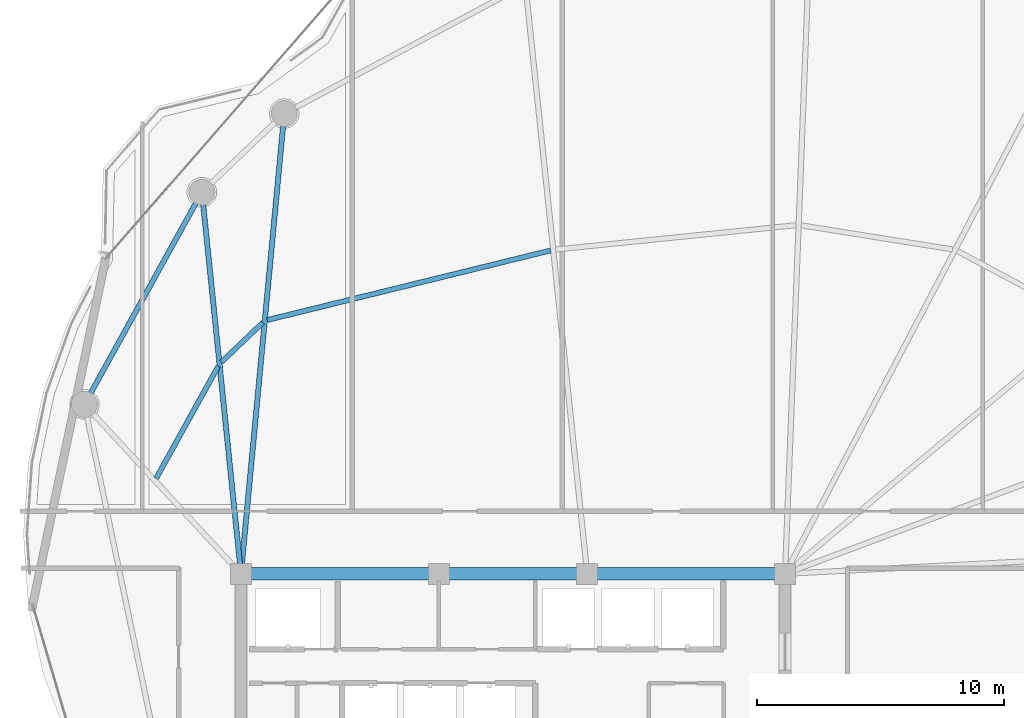
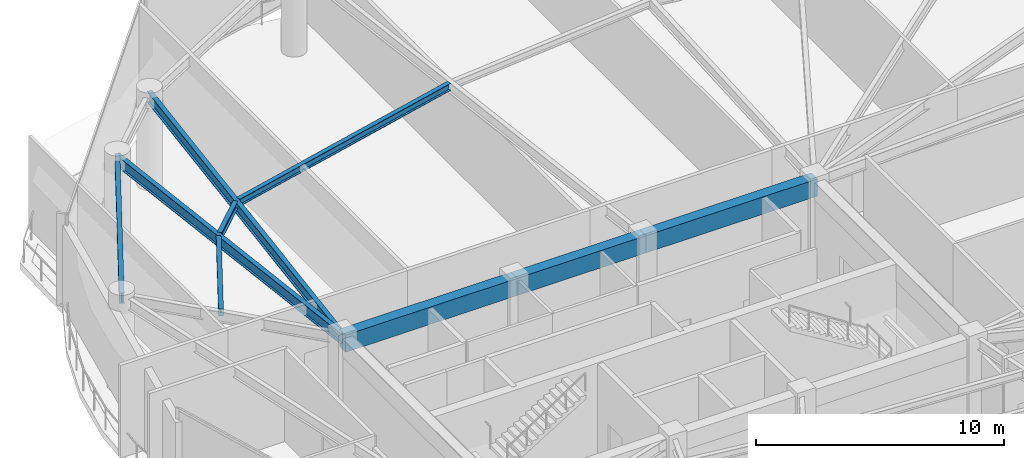
# One storey, part 8 of 28: 9 beams.
"""IFC4 building model written with IfcOpenShell, lengths in metres."""

from ifc_helpers import new_model, si_unit, direction, frame, origin, origin_2d, place, context, subcontext, project, spatial, rectangle, i_section, extrude, material, material_profile, profile_set, type_object, element, save


model = new_model("IFC4")

# Units and contexts
model_context = context("Model", 3, precision=1e-05, world=origin(), true_north=direction((0.0, 1.0)))
body_context = subcontext(model_context, "Body", "Model", "MODEL_VIEW")
ifc_project = project(units=[si_unit("LENGTHUNIT", "METRE"), si_unit("AREAUNIT", "SQUARE_METRE"), si_unit("VOLUMEUNIT", "CUBIC_METRE"), si_unit("PLANEANGLEUNIT", "RADIAN"), si_unit("MASSUNIT", "GRAM", prefix="KILO")], contexts=[model_context])

# Site, building, storey
site_placement = place(None, origin())
site = spatial("IfcSite", under=ifc_project, at=site_placement, CompositionType="ELEMENT")
building_placement = place(site_placement, origin())
building = spatial("IfcBuilding", under=site, at=building_placement, Name="Kazevale Care Tower and Concert Hall", CompositionType="ELEMENT")
storey_placement = place(building_placement, frame((0.0, 0.0, 190.800048828125)))
storey = spatial("IfcBuildingStorey", under=building, at=storey_placement, Name="L50", CompositionType="ELEMENT", Elevation=190.800048828125)

# Beams
ifc_material_1 = material(Name="Concrete C60", Category="concrete")
ifc_material_profile_1 = material_profile(ifc_material_1, rectangle(XDim=0.5, YDim=0.85009765625, at=origin_2d()), Name="RC-B500x850")
ifc_profile_set_1 = profile_set([ifc_material_profile_1], Name="Concrete C60")
beam_type_1 = type_object("IfcBeamType", Name="Core Coupling Beam RC500x850", PredefinedType="LINTEL", material=ifc_profile_set_1)
beam_1_placement = place(storey_placement, frame((44.0, 36.39990234375, 4.135009765625), z_axis=(-1.0, 0.0, 0.0), x_axis=(0.0, -1.0, 0.0)))
element("IfcBeam", 1, at=beam_1_placement, inside=storey, type_object=beam_type_1, Name="beam:L50:coretie:5", PredefinedType="LINTEL", context=body_context, shape_type="SweptSolid", body=[
    extrude(rectangle(XDim=0.5, YDim=0.85009765625, at=origin_2d()), origin(), (0.0, 0.0, 1.0), 8.0),
])
beam_2_placement = place(storey_placement, frame((36.0, 36.39990234375, 4.135009765625), z_axis=(-1.0, 0.0, 0.0), x_axis=(0.0, -1.0, 0.0)))
element("IfcBeam", 2, at=beam_2_placement, inside=storey, type_object=beam_type_1, Name="beam:L50:coretie:6", PredefinedType="LINTEL", context=body_context, shape_type="SweptSolid", body=[
    extrude(rectangle(XDim=0.5, YDim=0.85009765625, at=origin_2d()), origin(), (0.0, 0.0, 1.0), 6.0),
])
beam_3_placement = place(storey_placement, frame((30.0, 36.39990234375, 4.135009765625), z_axis=(-1.0, 0.0, 0.0), x_axis=(0.0, -1.0, 0.0)))
element("IfcBeam", 3, at=beam_3_placement, inside=storey, type_object=beam_type_1, Name="beam:L50:coretie:7", PredefinedType="LINTEL", context=body_context, shape_type="SweptSolid", body=[
    extrude(rectangle(XDim=0.5, YDim=0.85009765625, at=origin_2d()), origin(), (0.0, 0.0, 1.0), 8.0),
])
ifc_material_2 = material(Name="Steel ASTM A572 Gr 50", Category="steel")
ifc_material_profile_2 = material_profile(ifc_material_2, i_section(OverallWidth=0.2119140625, OverallDepth=0.5439453125, WebThickness=0.01318359375, FlangeThickness=0.021240234375, at=origin_2d()), Name="W530x123")
ifc_profile_set_2 = profile_set([ifc_material_profile_2], Name="Steel ASTM A572 Gr 50")
beam_type_2 = type_object("IfcBeamType", Name="Radial Floor Girder W530x123", PredefinedType="BEAM", material=ifc_profile_set_2)
beam_4_placement = place(storey_placement, frame((22.0, 36.39990234375, 4.287841796875), z_axis=(0.093621904075, 0.995607823933, 0.0), x_axis=(-0.995607823933, 0.093621904075, 0.0)))
element("IfcBeam", 4, at=beam_4_placement, inside=storey, type_object=beam_type_2, Name="beam:L50:rad:07", PredefinedType="BEAM", context=body_context, shape_type="SweptSolid", body=[
    extrude(i_section(OverallWidth=0.2119140625, OverallDepth=0.5439453125, WebThickness=0.01318359375, FlangeThickness=0.021240234375, at=origin_2d()), origin(), (0.0, 0.0, 1.0), 18.692138671875),
])
beam_5_placement = place(storey_placement, frame((22.0, 36.39990234375, 4.287841796875), z_axis=(-0.101869109083, 0.994797810922, 0.0), x_axis=(-0.994797810922, -0.101869109083, 0.0)))
element("IfcBeam", 5, at=beam_5_placement, inside=storey, type_object=beam_type_2, Name="beam:L50:rad:08", PredefinedType="BEAM", context=body_context, shape_type="SweptSolid", body=[
    extrude(i_section(OverallWidth=0.2119140625, OverallDepth=0.5439453125, WebThickness=0.01318359375, FlangeThickness=0.021240234375, at=origin_2d()), origin(), (0.0, 0.0, 1.0), 15.510986328125),
])
ifc_material_profile_3 = material_profile(ifc_material_2, i_section(OverallWidth=0.205078125, OverallDepth=0.35400390625, WebThickness=0.009521484375, FlangeThickness=0.016845703125, at=origin_2d()), Name="W360x79")
ifc_profile_set_3 = profile_set([ifc_material_profile_3], Name="Steel ASTM A572 Gr 50")
beam_type_3 = type_object("IfcBeamType", Name="Secondary Floor Joist W360x79", PredefinedType="JOIST", material=ifc_profile_set_3)
beam_6_placement = place(storey_placement, frame((34.52294921875, 49.47607421875, 4.383056640625), z_axis=(-0.971122715177, -0.238580535809, 0.0), x_axis=(0.238580535809, -0.971122715177, 0.0)))
element("IfcBeam", 6, at=beam_6_placement, inside=storey, type_object=beam_type_3, Name="beam:L50:joist:06", PredefinedType="JOIST", context=body_context, shape_type="SweptSolid", body=[
    extrude(i_section(OverallWidth=0.205078125, OverallDepth=0.35400390625, WebThickness=0.009521484375, FlangeThickness=0.016845703125, at=origin_2d()), origin(), (0.0, 0.0, 1.0), 11.7998046875),
])
beam_7_placement = place(storey_placement, frame((22.886962890625, 46.56298828125, 4.383056640625), z_axis=(-0.723262472539, -0.690573237114, 0.0), x_axis=(0.690573237114, -0.723262472539, 0.0)))
element("IfcBeam", 7, at=beam_7_placement, inside=storey, type_object=beam_type_3, Name="beam:L50:joist:07", PredefinedType="JOIST", context=body_context, shape_type="SweptSolid", body=[
    extrude(i_section(OverallWidth=0.205078125, OverallDepth=0.35400390625, WebThickness=0.009521484375, FlangeThickness=0.016845703125, at=origin_2d()), origin(), (0.0, 0.0, 1.0), 2.32275390625),
])
beam_8_placement = place(storey_placement, frame((21.080078125, 44.794921875, 4.383056640625), z_axis=(-0.484322963201, -0.874889288605, 0.0), x_axis=(0.874889288605, -0.484322963201, 0.0)))
element("IfcBeam", 8, at=beam_8_placement, inside=storey, type_object=beam_type_3, Name="beam:L50:joist:08", PredefinedType="JOIST", context=body_context, shape_type="SweptSolid", body=[
    extrude(i_section(OverallWidth=0.205078125, OverallDepth=0.35400390625, WebThickness=0.009521484375, FlangeThickness=0.016845703125, at=origin_2d()), origin(), (0.0, 0.0, 1.0), 5.1845703125),
])
ifc_material_profile_4 = material_profile(ifc_material_2, i_section(OverallWidth=0.208984375, OverallDepth=0.532958984375, WebThickness=0.01025390625, FlangeThickness=0.015625, at=origin_2d()), Name="W530x92")
ifc_profile_set_4 = profile_set([ifc_material_profile_4], Name="Steel ASTM A572 Gr 50")
beam_type_4 = type_object("IfcBeamType", Name="Upper Ring Beam W530x92", PredefinedType="BEAM", material=ifc_profile_set_4)
beam_9_placement = place(storey_placement, frame((20.419921875, 51.830078125, 4.29345703125), z_axis=(-0.484340382014, -0.874879645637, 0.0), x_axis=(0.874879645637, -0.484340382014, 0.0)))
element("IfcBeam", 9, at=beam_9_placement, inside=storey, type_object=beam_type_4, Name="beam:L50:ring:08", PredefinedType="BEAM", context=body_context, shape_type="SweptSolid", body=[
    extrude(i_section(OverallWidth=0.208984375, OverallDepth=0.532958984375, WebThickness=0.01025390625, FlangeThickness=0.015625, at=origin_2d()), origin(), (0.0, 0.0, 1.0), 9.80712890625),
])

save(model, "model.ifc")
